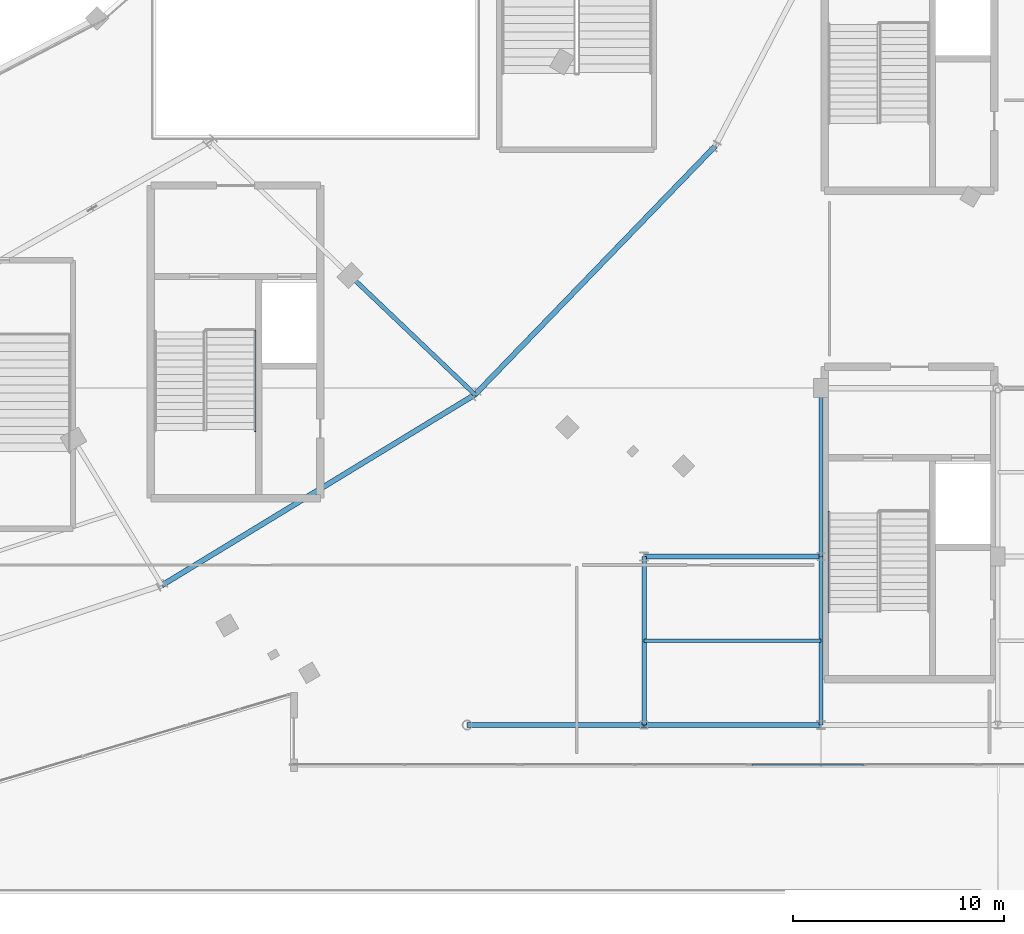
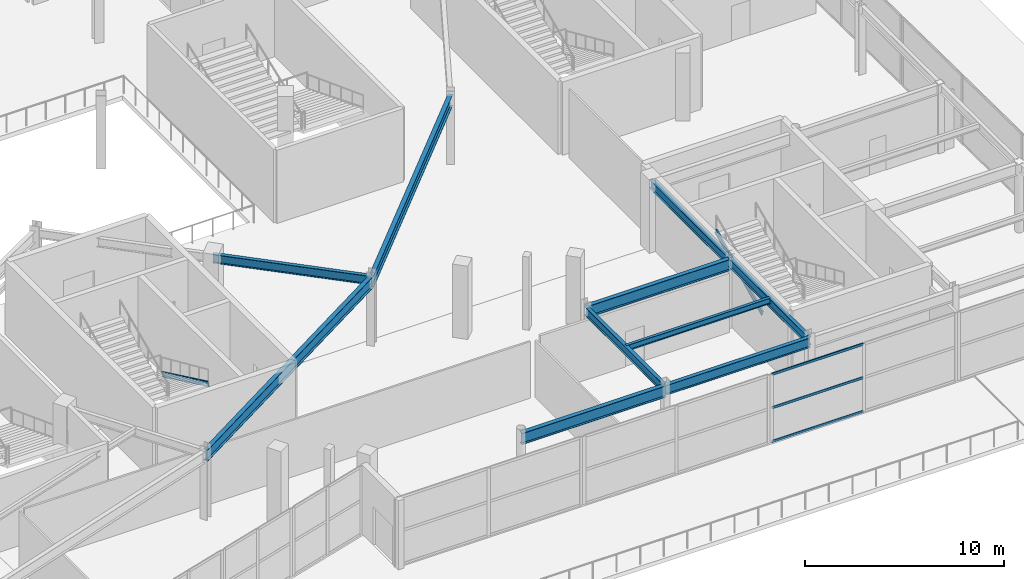
# One storey, part 42 of 107: 10 beams, 5 members, 1 element without a shape of its own.
"""IFC4 building model written with IfcOpenShell, lengths in metres."""

from ifc_helpers import new_model, si_unit, direction, frame, origin, origin_2d, place, context, subcontext, project, spatial, hollow_rectangle, i_section, extrude, material, layer, layer_set, material_profile, profile_set, type_object, element, aggregate, save


model = new_model("IFC4")

# Units and contexts
model_context = context("Model", 3, precision=1e-05, world=origin(), true_north=direction((0.0, 1.0)))
body_context = subcontext(model_context, "Body", "Model", "MODEL_VIEW")
ifc_project = project(units=[si_unit("LENGTHUNIT", "METRE"), si_unit("AREAUNIT", "SQUARE_METRE"), si_unit("VOLUMEUNIT", "CUBIC_METRE"), si_unit("PLANEANGLEUNIT", "RADIAN"), si_unit("MASSUNIT", "GRAM", prefix="KILO")], contexts=[model_context])

# Site, building, storey
site_placement = place(None, origin())
site = spatial("IfcSite", under=ifc_project, at=site_placement, CompositionType="ELEMENT")
building_placement = place(site_placement, origin())
building = spatial("IfcBuilding", under=site, at=building_placement, Name="Kalgoora Escarpment Arena", CompositionType="ELEMENT")
storey_placement = place(building_placement, frame((0.0, 0.0, 5.39990234375)))
storey = spatial("IfcBuildingStorey", under=building, at=storey_placement, Name="L01", CompositionType="ELEMENT", Elevation=5.39990234375)

# Beams
ifc_material_1 = material(Name="Structural steel AS/NZS 3679 (300 MPa)", Category="steel")
ifc_material_profile_1 = material_profile(ifc_material_1, i_section(OverallWidth=0.208984375, OverallDepth=0.532958984375, WebThickness=0.01025390625, FlangeThickness=0.015625, at=origin_2d()))
ifc_profile_set_1 = profile_set([ifc_material_profile_1], Name="Structural steel AS/NZS 3679 (300 MPa)")
beam_type_1 = type_object("IfcBeamType", Name="BM-GIRDER-530UB92.4", PredefinedType="USERDEFINED", material=ifc_profile_set_1)
for number, where, z_axis, x_axis, name in (
    (1, (151.199951171875, 8.0, 3.93359375), (0.0, 1.0, 0.0), (-1.0, 0.0, 0.0), "L01 Floor girder 530UB92.4"),
    (2, (159.60009765625, 8.0, 3.93359375), (0.0, 1.0, 0.0), (-1.0, 0.0, 0.0), "L01 Floor girder 530UB92.4"),
    (3, (159.60009765625, 16.0, 3.93359375), (0.0, 1.0, 0.0), (-1.0, 0.0, 0.0), "L01 Floor girder 530UB92.4"),
):
    element("IfcBeam", number, at=place(storey_placement, frame(where, z_axis=z_axis, x_axis=x_axis)), inside=storey, type_object=beam_type_1, Name=name, ObjectType="GIRDER", PredefinedType="USERDEFINED", context=body_context, shape_type="SweptSolid", body=[
        extrude(i_section(OverallWidth=0.208984375, OverallDepth=0.532958984375, WebThickness=0.01025390625, FlangeThickness=0.015625, at=origin_2d()), origin(), (0.0, 0.0, 1.0), 8.0),
    ])
beam_1_placement = place(storey_placement, frame((137.230712890625, 29.351806640625, 3.93359375), z_axis=(0.724130144905, -0.689663347757, 0.0), x_axis=(0.689663347757, 0.724130144905, 0.0)))
element("IfcBeam", 4, at=beam_1_placement, inside=storey, type_object=beam_type_1, Name="L01 Radial concourse girder 530UB92.4", ObjectType="GIRDER", PredefinedType="USERDEFINED", context=body_context, shape_type="SweptSolid", body=[
    extrude(i_section(OverallWidth=0.208984375, OverallDepth=0.532958984375, WebThickness=0.01025390625, FlangeThickness=0.015625, at=origin_2d()), origin(), (0.0, 0.0, 1.0), 8.20263671875),
])
ifc_material_2 = material(Name="Structural steel AS/NZS 3679 (300 MPa)", Category="steel")
ifc_material_profile_2 = material_profile(ifc_material_2, i_section(OverallWidth=0.22802734375, OverallDepth=0.60205078125, WebThickness=0.010498046875, FlangeThickness=0.014892578125, at=origin_2d()))
ifc_profile_set_2 = profile_set([ifc_material_profile_2], Name="Structural steel AS/NZS 3679 (300 MPa)")
beam_type_2 = type_object("IfcBeamType", Name="BM-GIRDER-610UB101", PredefinedType="USERDEFINED", material=ifc_profile_set_2)
beam_2_placement = place(storey_placement, frame((151.199951171875, 8.0, 3.899169921875), z_axis=(1.0, 0.0, 0.0), x_axis=(0.0, 1.0, 0.0)))
element("IfcBeam", 5, at=beam_2_placement, inside=storey, type_object=beam_type_2, Name="L01 Floor girder 610UB101", ObjectType="GIRDER", PredefinedType="USERDEFINED", context=body_context, shape_type="SweptSolid", body=[
    extrude(i_section(OverallWidth=0.22802734375, OverallDepth=0.60205078125, WebThickness=0.010498046875, FlangeThickness=0.014892578125, at=origin_2d()), origin(), (0.0, 0.0, 1.0), 8.400146484375),
])
ifc_material_3 = material(Name="Structural steel AS/NZS 3679 (300 MPa)", Category="steel")
ifc_material_profile_3 = material_profile(ifc_material_3, i_section(OverallWidth=0.25, OverallDepth=0.699951171875, WebThickness=0.010009765625, FlangeThickness=0.02001953125, at=origin_2d()))
ifc_profile_set_3 = profile_set([ifc_material_profile_3], Name="Structural steel AS/NZS 3679 (300 MPa)")
beam_type_3 = type_object("IfcBeamType", Name="BM-GIRDER-700WB130", PredefinedType="USERDEFINED", material=ifc_profile_set_3)
beam_3_placement = place(storey_placement, frame((142.800048828125, 8.0, 3.85009765625), z_axis=(1.0, 0.0, 0.0), x_axis=(0.0, 1.0, 0.0)))
element("IfcBeam", 6, at=beam_3_placement, inside=storey, type_object=beam_type_3, Name="L01 Floor girder 700WB130", ObjectType="GIRDER", PredefinedType="USERDEFINED", context=body_context, shape_type="SweptSolid", body=[
    extrude(i_section(OverallWidth=0.25, OverallDepth=0.699951171875, WebThickness=0.010009765625, FlangeThickness=0.02001953125, at=origin_2d()), origin(), (0.0, 0.0, 1.0), 8.39990234375),
])
beam_4_placement = place(storey_placement, frame((151.199951171875, 16.0, 3.85009765625), z_axis=(1.0, 0.0, 0.0), x_axis=(0.0, 1.0, 0.0)))
element("IfcBeam", 7, at=beam_4_placement, inside=storey, type_object=beam_type_3, Name="L01 Floor girder 700WB130", ObjectType="GIRDER", PredefinedType="USERDEFINED", context=body_context, shape_type="SweptSolid", body=[
    extrude(i_section(OverallWidth=0.25, OverallDepth=0.699951171875, WebThickness=0.010009765625, FlangeThickness=0.02001953125, at=origin_2d()), origin(), (0.0, 0.0, 1.0), 8.400146484375),
])
ifc_material_4 = material(Name="Structural steel AS/NZS 3679 (300 MPa)", Category="steel")
ifc_material_profile_4 = material_profile(ifc_material_4, i_section(OverallWidth=0.1708984375, OverallDepth=0.35205078125, WebThickness=0.0068359375, FlangeThickness=0.009765625, at=origin_2d()))
ifc_profile_set_4 = profile_set([ifc_material_profile_4], Name="Structural steel AS/NZS 3679 (300 MPa)")
beam_type_4 = type_object("IfcBeamType", Name="BM-JOIST-360UB44.7", PredefinedType="JOIST", material=ifc_profile_set_4)
beam_5_placement = place(storey_placement, frame((151.199951171875, 12.0, 4.024169921875), z_axis=(1.0, 0.0, 0.0), x_axis=(0.0, 1.0, 0.0)))
element("IfcBeam", 8, at=beam_5_placement, inside=storey, type_object=beam_type_4, Name="L01 Secondary composite floor joist 360UB44.7", PredefinedType="JOIST", context=body_context, shape_type="SweptSolid", body=[
    extrude(i_section(OverallWidth=0.1708984375, OverallDepth=0.35205078125, WebThickness=0.0068359375, FlangeThickness=0.009765625, at=origin_2d()), origin(), (0.0, 0.0, 1.0), 8.400146484375),
])
ifc_material_5 = material(Name="Structural steel AS/NZS 3679 (300 MPa)", Category="steel")
ifc_material_profile_5 = material_profile(ifc_material_5, i_section(OverallWidth=0.25, OverallDepth=0.699951171875, WebThickness=0.010009765625, FlangeThickness=0.02001953125, at=origin_2d()))
ifc_profile_set_5 = profile_set([ifc_material_profile_5], Name="Structural steel AS/NZS 3679 (300 MPa)")
beam_type_5 = type_object("IfcBeamType", Name="BM-SPANDREL-700WB130", PredefinedType="SPANDREL", material=ifc_profile_set_5)
beam_6_placement = place(storey_placement, frame((128.300048828125, 14.63671875, 3.85009765625), z_axis=(0.854030640858, 0.520222706613, 0.0), x_axis=(-0.520222706613, 0.854030640858, 0.0)))
element("IfcBeam", 9, at=beam_6_placement, inside=storey, type_object=beam_type_5, Name="L01 Circumferential concourse girder RCONC2 700WB130", PredefinedType="SPANDREL", context=body_context, shape_type="SweptSolid", body=[
    extrude(i_section(OverallWidth=0.25, OverallDepth=0.699951171875, WebThickness=0.010009765625, FlangeThickness=0.02001953125, at=origin_2d()), origin(), (0.0, 0.0, 1.0), 17.411865234375),
])
beam_7_placement = place(storey_placement, frame((143.17041015625, 23.69482421875, 3.85009765625), z_axis=(0.694974435465, 0.719034445663, 0.0), x_axis=(-0.719034445663, 0.694974435465, 0.0)))
element("IfcBeam", 10, at=beam_7_placement, inside=storey, type_object=beam_type_5, Name="L01 Circumferential concourse girder RCONC2 700WB130", PredefinedType="SPANDREL", context=body_context, shape_type="SweptSolid", body=[
    extrude(i_section(OverallWidth=0.25, OverallDepth=0.699951171875, WebThickness=0.010009765625, FlangeThickness=0.02001953125, at=origin_2d()), origin(), (0.0, 0.0, 1.0), 16.418212890625),
])

# Curtain wall, members
ifc_material_6 = material(Name=" Champagne anodised aluminium & double-glazed low-E", Category="aluminium")
ifc_layer = layer(ifc_material_6, 0.162109375)
ifc_layer_set = layer_set([ifc_layer], Name="CW-UNIT-03")
curtain_wall_type = type_object("IfcCurtainWallType", Name="CW-UNIT-03", PredefinedType="NOTDEFINED", material=ifc_layer_set)
curtain_wall_placement = place(storey_placement, origin())
curtain_wall = element("IfcCurtainWall", 11, at=curtain_wall_placement, inside=storey, type_object=curtain_wall_type, Name="L01 unitised facade curtain wall 002", PredefinedType="NOTDEFINED")
ifc_material_7 = material(Name="Anodised aluminium 6063-T6", Category="aluminium")
ifc_material_profile_6 = material_profile(ifc_material_7, hollow_rectangle(XDim=0.06005859375, YDim=0.14990234375, WallThickness=0.00341796875, at=origin_2d()))
ifc_profile_set_6 = profile_set([ifc_material_profile_6], Name="Anodised aluminium 6063-T6")
member_type_1 = type_object("IfcMemberType", Name="MEM-CW-TRAN-150", PredefinedType="USERDEFINED", material=ifc_profile_set_6)
member_1_placement = place(storey_placement, frame((161.617431640625, 6.1201171875, 0.050048828125), z_axis=(-1.0, 0.0, 0.0), x_axis=(0.0, -1.0, 0.0)))
member_1 = element("IfcMember", 12, at=member_1_placement, type_object=member_type_1, Name="CW-03 transom 2.1", ObjectType="TRANSOM", PredefinedType="USERDEFINED", context=body_context, shape_type="SweptSolid", body=[
    extrude(hollow_rectangle(XDim=0.06005859375, YDim=0.14990234375, WallThickness=0.00341796875, at=origin_2d()), origin(), (0.0, 0.0, 1.0), 5.302490234375),
])
member_2_placement = place(storey_placement, frame((161.617431640625, 6.1201171875, 2.125), z_axis=(-1.0, 0.0, 0.0), x_axis=(0.0, -1.0, 0.0)))
member_2 = element("IfcMember", 13, at=member_2_placement, type_object=member_type_1, Name="CW-03 transom 2.2", ObjectType="TRANSOM", PredefinedType="USERDEFINED", context=body_context, shape_type="SweptSolid", body=[
    extrude(hollow_rectangle(XDim=0.06005859375, YDim=0.14990234375, WallThickness=0.00341796875, at=origin_2d()), origin(), (0.0, 0.0, 1.0), 5.302490234375),
])
member_3_placement = place(storey_placement, frame((161.617431640625, 6.1201171875, 4.18017578125), z_axis=(-1.0, 0.0, 0.0), x_axis=(0.0, -1.0, 0.0)))
member_3 = element("IfcMember", 14, at=member_3_placement, type_object=member_type_1, Name="CW-03 transom 2.3", ObjectType="TRANSOM", PredefinedType="USERDEFINED", context=body_context, shape_type="SweptSolid", body=[
    extrude(hollow_rectangle(XDim=0.06005859375, YDim=0.14990234375, WallThickness=0.00341796875, at=origin_2d()), origin(), (0.0, 0.0, 1.0), 5.302490234375),
])
aggregate(curtain_wall, [member_1, member_2, member_3])

# Members
ifc_material_8 = material(Name="Structural steel AS/NZS 3679 (300 MPa)", Category="steel")
ifc_material_profile_7 = material_profile(ifc_material_8, i_section(OverallWidth=0.090087890625, OverallDepth=0.300048828125, WebThickness=0.008056640625, FlangeThickness=0.01611328125, at=origin_2d()))
ifc_profile_set_7 = profile_set([ifc_material_profile_7], Name="Structural steel AS/NZS 3679 (300 MPa)")
member_type_2 = type_object("IfcMemberType", Name="MEM-STRINGER-PFC", PredefinedType="STRINGER", material=ifc_profile_set_7)
member_4_placement = place(storey_placement, frame((132.72998046875, 26.7099609375, -0.039794921875), z_axis=(0.0, -0.902682652253, 0.430306901317), x_axis=(1.0, 0.0, 0.0)))
element("IfcMember", 15, at=member_4_placement, inside=storey, type_object=member_type_2, Name="ST06 L01 steel stair stringer 1", PredefinedType="STRINGER", context=body_context, shape_type="SweptSolid", body=[
    extrude(i_section(OverallWidth=0.090087890625, OverallDepth=0.300048828125, WebThickness=0.008056640625, FlangeThickness=0.01611328125, at=origin_2d()), origin(), (0.0, 0.0, 1.0), 5.228759765625),
])
member_5_placement = place(storey_placement, frame((159.969970703125, 13.389892578125, 2.210205078125), z_axis=(0.0, 0.902691297253, 0.430288765671), x_axis=(-1.0, 0.0, 0.0)))
element("IfcMember", 16, at=member_5_placement, inside=storey, type_object=member_type_2, Name="ST08 L01 steel stair stringer 2", PredefinedType="STRINGER", context=body_context, shape_type="SweptSolid", body=[
    extrude(i_section(OverallWidth=0.090087890625, OverallDepth=0.300048828125, WebThickness=0.008056640625, FlangeThickness=0.01611328125, at=origin_2d()), origin(), (0.0, 0.0, 1.0), 5.22900390625),
])

save(model, "model.ifc")
